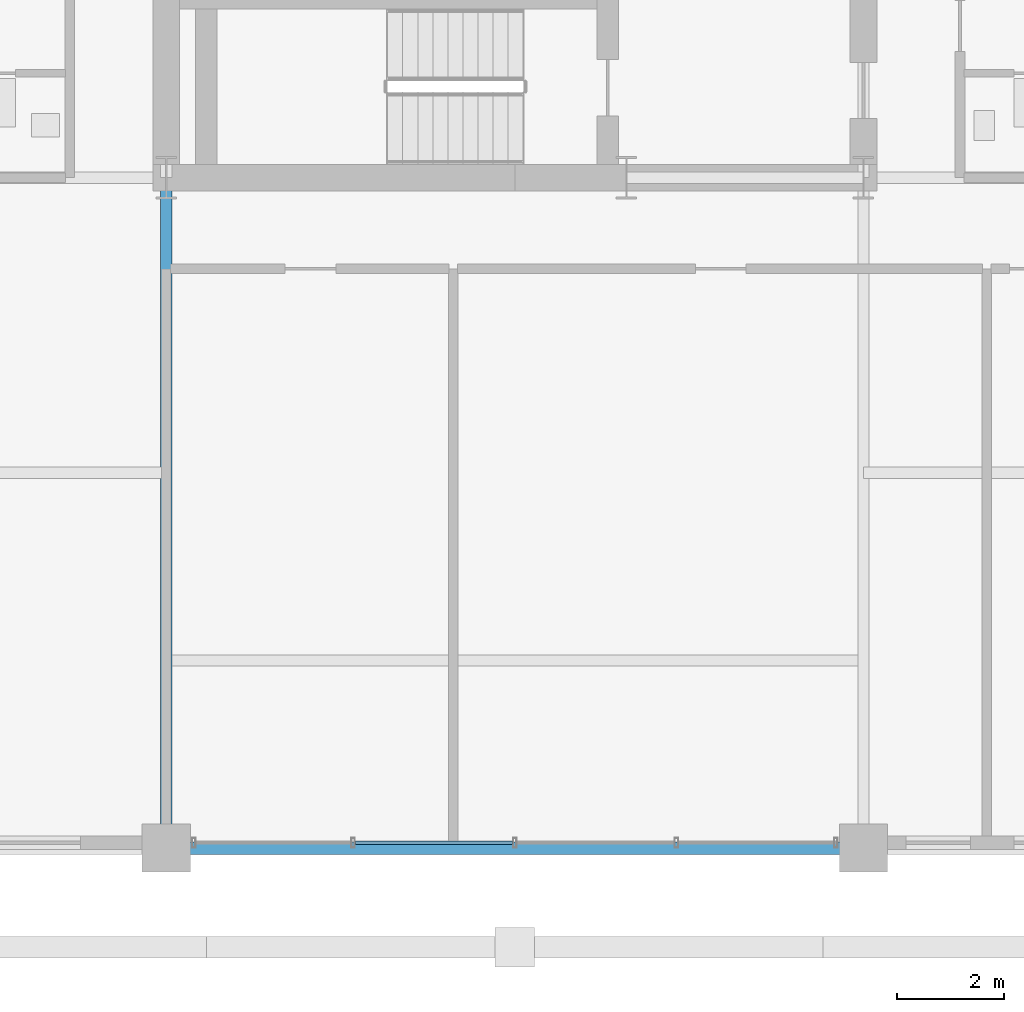
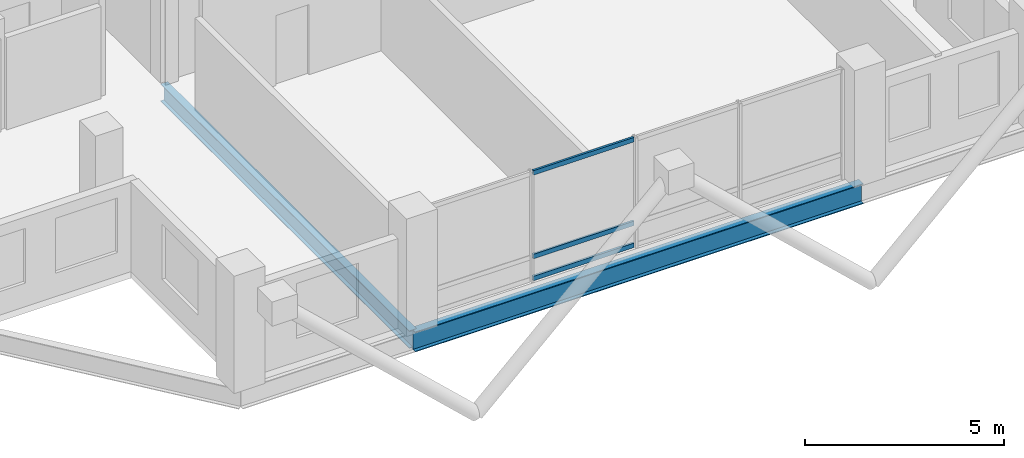
# One storey, part 4 of 23: 3 members, 2 beams, 1 element without a shape of its own.
"""IFC4 building model written with IfcOpenShell, lengths in metres."""

from ifc_helpers import new_model, si_unit, direction, frame, origin, origin_2d, place, context, subcontext, project, spatial, hollow_rectangle, i_section, extrude, material, layer, layer_set, material_profile, profile_set, type_object, element, aggregate, save


model = new_model("IFC4")

# Units and contexts
model_context = context("Model", 3, precision=1e-05, world=origin(), true_north=direction((0.0, 1.0)))
body_context = subcontext(model_context, "Body", "Model", "MODEL_VIEW")
ifc_project = project(units=[si_unit("LENGTHUNIT", "METRE"), si_unit("AREAUNIT", "SQUARE_METRE"), si_unit("VOLUMEUNIT", "CUBIC_METRE"), si_unit("PLANEANGLEUNIT", "RADIAN"), si_unit("MASSUNIT", "GRAM", prefix="KILO")], contexts=[model_context])

# Site, building, storey
site_placement = place(None, origin())
site = spatial("IfcSite", under=ifc_project, at=site_placement, CompositionType="ELEMENT")
building_placement = place(site_placement, origin())
building = spatial("IfcBuilding", under=site, at=building_placement, Name="Barlavira Tower and Art Museum", CompositionType="ELEMENT")
storey_placement = place(building_placement, frame((0.0, 0.0, 290.699951171875)))
storey = spatial("IfcBuildingStorey", under=building, at=storey_placement, Name="L76", CompositionType="ELEMENT", Elevation=290.699951171875)

# Curtain wall, members
ifc_material_1 = material(Name="Low-iron coastal laminated glass", Category="glass")
ifc_layer = layer(ifc_material_1, 0.2099609375, Name="Low-iron coastal laminated glass")
ifc_layer_set = layer_set([ifc_layer], Name="Low-iron coastal laminated glass")
curtain_wall_type = type_object("IfcCurtainWallType", Name="Pale-Metal Unitised Curtain Wall Zone 4", PredefinedType="NOTDEFINED", material=ifc_layer_set)
curtain_wall_placement = place(storey_placement, origin())
curtain_wall = element("IfcCurtainWall", 1, at=curtain_wall_placement, inside=storey, type_object=curtain_wall_type, Name="L76 Curtain Wall CW4-L76-S-B2", PredefinedType="NOTDEFINED")
ifc_material_2 = material(Name="Pale anodised aluminium", Category="aluminium")
ifc_material_profile_1 = material_profile(ifc_material_2, hollow_rectangle(XDim=0.06494140625, YDim=0.139892578125, WallThickness=0.00390625, at=origin_2d()), Name="ALU-TRAN 65x140x4")
ifc_profile_set_1 = profile_set([ifc_material_profile_1], Name="Pale anodised aluminium")
member_type = type_object("IfcMemberType", Name="Curtain Wall Pale-Metal Transom 65x140", PredefinedType="USERDEFINED", material=ifc_profile_set_1)
member_1_placement = place(storey_placement, frame((-2.969970703125, -19.89990234375, 0.070068359375), z_axis=(1.0, 0.0, 0.0), x_axis=(0.0, 1.0, 0.0)))
member_1 = element("IfcMember", 2, at=member_1_placement, type_object=member_type, Name="CW4-L76-S-B2 Transom 1.1", ObjectType="TRANSOM", PredefinedType="USERDEFINED", context=body_context, shape_type="SweptSolid", body=[
    extrude(hollow_rectangle(XDim=0.06494140625, YDim=0.139892578125, WallThickness=0.00390625, at=origin_2d()), origin(), (0.0, 0.0, 1.0), 2.925048828125),
])
member_2_placement = place(storey_placement, frame((-2.969970703125, -19.89990234375, 0.744140625), z_axis=(1.0, 0.0, 0.0), x_axis=(0.0, 1.0, 0.0)))
member_2 = element("IfcMember", 3, at=member_2_placement, type_object=member_type, Name="CW4-L76-S-B2 Transom 1.2", ObjectType="TRANSOM", PredefinedType="USERDEFINED", context=body_context, shape_type="SweptSolid", body=[
    extrude(hollow_rectangle(XDim=0.06494140625, YDim=0.139892578125, WallThickness=0.00390625, at=origin_2d()), origin(), (0.0, 0.0, 1.0), 2.925048828125),
])
member_3_placement = place(storey_placement, frame((-2.969970703125, -19.89990234375, 3.31005859375), z_axis=(1.0, 0.0, 0.0), x_axis=(0.0, 1.0, 0.0)))
member_3 = element("IfcMember", 4, at=member_3_placement, type_object=member_type, Name="CW4-L76-S-B2 Transom 1.3", ObjectType="TRANSOM", PredefinedType="USERDEFINED", context=body_context, shape_type="SweptSolid", body=[
    extrude(hollow_rectangle(XDim=0.06494140625, YDim=0.139892578125, WallThickness=0.00390625, at=origin_2d()), origin(), (0.0, 0.0, 1.0), 2.925048828125),
])
aggregate(curtain_wall, [member_1, member_2, member_3])

# Beams
ifc_material_3 = material(Name="Steel S355", Category="steel")
ifc_material_profile_2 = material_profile(ifc_material_3, i_section(OverallWidth=0.22998046875, OverallDepth=0.616943359375, WebThickness=0.01318359375, FlangeThickness=0.022216796875, at=origin_2d()), Name="W610x140.0")
ifc_profile_set_2 = profile_set([ifc_material_profile_2], Name="Steel S355")
beam_type_1 = type_object("IfcBeamType", Name="Upper Shaft Spandrel Edge Beam W610x140 Steel S355", PredefinedType="SPANDREL", material=ifc_profile_set_2)
beam_1_placement = place(storey_placement, frame((-6.5, -20.0, -0.528564453125), z_axis=(1.0, 0.0, 0.0), x_axis=(0.0, 1.0, 0.0)))
element("IfcBeam", 5, at=beam_1_placement, inside=storey, type_object=beam_type_1, Name="L76 Spandrel 2", PredefinedType="SPANDREL", context=body_context, shape_type="SweptSolid", body=[
    extrude(i_section(OverallWidth=0.22998046875, OverallDepth=0.616943359375, WebThickness=0.01318359375, FlangeThickness=0.022216796875, at=origin_2d()), origin(), (0.0, 0.0, 1.0), 13.0),
])
ifc_material_profile_3 = material_profile(ifc_material_3, i_section(OverallWidth=0.2109375, OverallDepth=0.5390625, WebThickness=0.01171875, FlangeThickness=0.018798828125, at=origin_2d()), Name="W530x109.0")
ifc_profile_set_3 = profile_set([ifc_material_profile_3], Name="Steel S355")
beam_type_2 = type_object("IfcBeamType", Name="Zone 3-4 Primary Floor Girder W530x109 Steel S355", PredefinedType="BEAM", material=ifc_profile_set_3)
beam_2_placement = place(storey_placement, frame((-6.5, -20.0, -0.489501953125), z_axis=(0.0, 1.0, 0.0), x_axis=(-1.0, 0.0, 0.0)))
element("IfcBeam", 6, at=beam_2_placement, inside=storey, type_object=beam_type_2, Name="L76 Girder R-S1", PredefinedType="BEAM", context=body_context, shape_type="SweptSolid", body=[
    extrude(i_section(OverallWidth=0.2109375, OverallDepth=0.5390625, WebThickness=0.01171875, FlangeThickness=0.018798828125, at=origin_2d()), origin(), (0.0, 0.0, 1.0), 12.5),
])

save(model, "model.ifc")
